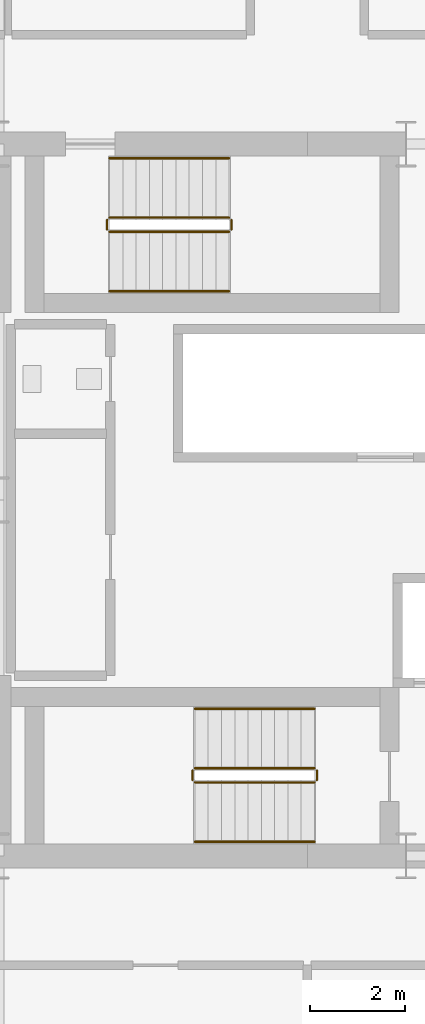
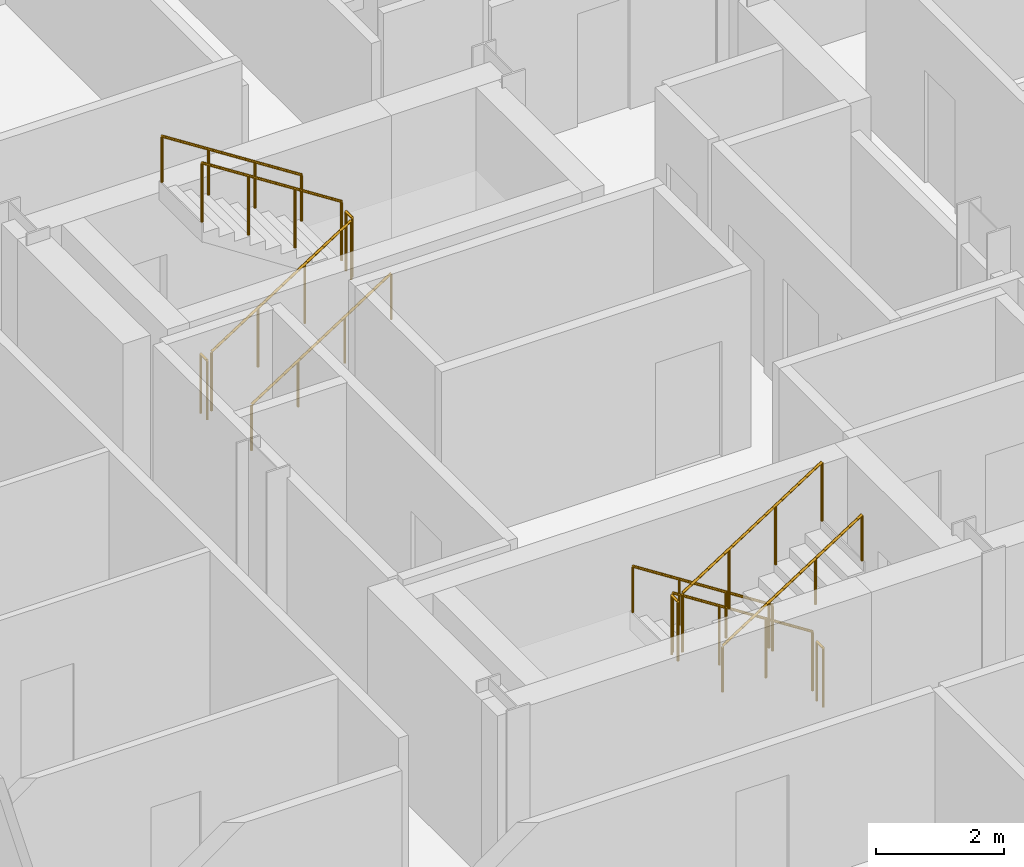
# One storey, part 21 of 22: 12 railings.
"""IFC4 building model written with IfcOpenShell, lengths in metres."""

import ifcopenshell
import ifcopenshell.guid

model = None  # the IFC model being written
_history = None  # IfcOwnerHistory: only IFC2X3 demands one
_inside = {}  # id of a spatial element -> (the spatial element, [elements in it])
_under = {}  # id of a project, library or spatial element -> (it, [spatial elements below it])
_declared = {}  # id of a project -> (the project, [libraries it declares])
_typed = {}  # id of a type object -> (the type object, [elements of that type])
_made_of = {}  # id of a material, layer set ... -> (it, [elements and type objects made of it])


def new_model(schema):
    """Start an empty IFC model of exactly this schema.

    Asked for "IFC4X3", IfcOpenShell would pick the latest addendum, in which some entities
    have other attributes; the version numbers below select the first issue.
    IFC2X3 requires an IfcOwnerHistory on every rooted entity: one is made here for all.
    """
    global model, _history
    if schema == "IFC4X3":
        model = ifcopenshell.file(schema_version=(4, 3, 0, 0))
    else:
        model = ifcopenshell.file(schema=schema)
    _inside.clear()
    _under.clear()
    _declared.clear()
    _typed.clear()
    _made_of.clear()
    _history = None
    if model.schema == "IFC2X3":
        org = make("IfcOrganization", Name="unknown")
        user = make(
            "IfcPersonAndOrganization",
            ThePerson=make("IfcPerson", FamilyName="unknown"),
            TheOrganization=org,
        )
        app = make(
            "IfcApplication",
            ApplicationDeveloper=org,
            Version="unknown",
            ApplicationFullName="unknown",
            ApplicationIdentifier="unknown",
        )
        _history = make(
            "IfcOwnerHistory",
            OwningUser=user,
            OwningApplication=app,
            ChangeAction="ADDED",
            CreationDate=0,
        )
    return model


def make(cls, **values):
    """One entity of the class cls with the attributes given. An attribute that is None is left unset."""
    return model.create_entity(
        cls, **{name: value for name, value in values.items() if value is not None}
    )


def rooted(cls, **values):
    """An entity with a GlobalId (a new one), such as an element, a storey or a relation."""
    return make(cls, GlobalId=ifcopenshell.guid.new(), OwnerHistory=_history, **values)


def si_unit(unit_type, name, prefix=None):
    """IfcSIUnit, for example si_unit("LENGTHUNIT", "METRE", prefix="MILLI")."""
    return make("IfcSIUnit", UnitType=unit_type, Prefix=prefix, Name=name)


def assignment(units):
    """IfcUnitAssignment: the units of a project."""
    return None if units is None else make("IfcUnitAssignment", Units=units)


def point(xyz):
    """IfcCartesianPoint."""
    return None if xyz is None else make("IfcCartesianPoint", Coordinates=xyz)


def direction(xyz):
    """IfcDirection."""
    return None if xyz is None else make("IfcDirection", DirectionRatios=xyz)


def frame(location, z_axis=None, x_axis=None):
    """IfcAxis2Placement3D, a coordinate frame: its origin and axes. An axis left out is left unset."""
    return make(
        "IfcAxis2Placement3D",
        Location=point(location),
        Axis=direction(z_axis),
        RefDirection=direction(x_axis),
    )


def frame_2d(location, x_axis=None):
    """IfcAxis2Placement2D, a coordinate frame in the plane: its origin and x axis."""
    return make(
        "IfcAxis2Placement2D", Location=point(location), RefDirection=direction(x_axis)
    )


def origin():
    """The frame at (0, 0, 0) with its axes left unset."""
    return frame((0.0, 0.0, 0.0))


def origin_2d():
    """The frame at (0, 0) in the plane with its x axis left unset."""
    return frame_2d((0.0, 0.0))


def place(relative_to, where):
    """IfcLocalPlacement: puts the frame where relative to a parent placement (None: the world)."""
    return make(
        "IfcLocalPlacement", PlacementRelTo=relative_to, RelativePlacement=where
    )


def context(
    kind, dimensions, precision=None, world=None, true_north=None, identifier=None
):
    """IfcGeometricRepresentationContext, for example the 3D "Model" context."""
    return make(
        "IfcGeometricRepresentationContext",
        ContextIdentifier=identifier,
        ContextType=kind,
        CoordinateSpaceDimension=dimensions,
        Precision=precision,
        WorldCoordinateSystem=world,
        TrueNorth=true_north,
    )


def subcontext(parent, identifier, kind, view, scale=None):
    """IfcGeometricRepresentationSubContext, for example "Body" below "Model"."""
    return make(
        "IfcGeometricRepresentationSubContext",
        ContextIdentifier=identifier,
        ContextType=kind,
        ParentContext=parent,
        TargetScale=scale,
        TargetView=view,
    )


def project(units=None, contexts=None):
    """IfcProject with its units and contexts."""
    return rooted(
        "IfcProject",
        Name="project",
        RepresentationContexts=contexts,
        UnitsInContext=assignment(units),
    )


def spatial(cls, under=None, at=None, **own):
    """A site, building, storey or space (cls), placed at a placement, below another one or the project."""
    s = rooted(cls, ObjectPlacement=at, **own)
    if under is not None:
        _under.setdefault(under.id(), (under, []))[1].append(s)
    return s


def profile(cls, at=None, kind="AREA", **sizes):
    """A parametric profile (cls). Its sizes go by their IFC names, for example OverallWidth=200.0."""
    return make(cls, ProfileType=kind, Position=at, **sizes)


def circle(**sizes):
    """IfcCircleProfileDef."""
    return profile("IfcCircleProfileDef", **sizes)


def extrude(swept, where, along, depth):
    """IfcExtrudedAreaSolid: the profile swept, set in the frame where, extruded along a direction by depth."""
    return make(
        "IfcExtrudedAreaSolid",
        SweptArea=swept,
        Position=where,
        ExtrudedDirection=direction(along),
        Depth=depth,
    )


def shape(context_of_items, identifier, shape_type, items):
    """IfcShapeRepresentation: the items that make up one representation, for example the "Body"."""
    return make(
        "IfcShapeRepresentation",
        ContextOfItems=context_of_items,
        RepresentationIdentifier=identifier,
        RepresentationType=shape_type,
        Items=items,
    )


def material(Name=None, Category=None):
    """IfcMaterial."""
    return make("IfcMaterial", Name=Name, Category=Category)


def made_of(thing, what):
    """Note that an element or type object is made of a material, layer set ...; save() writes the relation."""
    if what is not None:
        _made_of.setdefault(what.id(), (what, []))[1].append(thing)
    return thing


def type_object(cls, material=None, **own):
    """A type object (cls), such as IfcWallType, which elements share."""
    return made_of(rooted(cls, **own), material)


def element(
    cls,
    number,
    at=None,
    inside=None,
    cuts=None,
    type_object=None,
    material=None,
    context=None,
    identifier="Body",
    shape_type=None,
    held_by="IfcProductDefinitionShape",
    body=None,
    shapes=None,
    **own,
):
    """One element of the class cls, such as IfcWall. Its Tag is "e" and its number.

    at: its placement. inside: the storey or other place that contains it. cuts: it is an
    opening in that element (IfcRelVoidsElement). A single representation is given by context,
    identifier, shape_type and body (its items); several are given by shapes. held_by: the class
    of the entity that holds the representations. save() writes the other relations.
    """
    e = rooted(cls, Tag="e%d" % number, ObjectPlacement=at, **own)
    if body is not None:
        shapes = [shape(context, identifier, shape_type, body)]
    if shapes is not None:
        e.Representation = make(held_by, Representations=shapes)
    if inside is not None:
        _inside.setdefault(inside.id(), (inside, []))[1].append(e)
    if cuts is not None:
        rooted(
            "IfcRelVoidsElement", RelatingBuildingElement=cuts, RelatedOpeningElement=e
        )
    if type_object is not None:
        _typed.setdefault(type_object.id(), (type_object, []))[1].append(e)
    return made_of(e, material)


def aggregate(whole, parts):
    """IfcRelAggregates: a whole, such as a stair, and the parts it consists of."""
    return rooted("IfcRelAggregates", RelatingObject=whole, RelatedObjects=parts)


def save(model, path):
    """Write the relations noted so far, then the file.

    IfcRelAggregates (storeys below a building ...), IfcRelContainedInSpatialStructure (elements
    in a storey), IfcRelDefinesByType, IfcRelAssociatesMaterial and IfcRelDeclares: one each for
    every whole, place, type object, material and project.
    """
    for whole, parts in _under.values():
        aggregate(whole, parts)
    for where, things in _inside.values():
        rooted(
            "IfcRelContainedInSpatialStructure",
            RelatedElements=things,
            RelatingStructure=where,
        )
    for kind, things in _typed.values():
        rooted("IfcRelDefinesByType", RelatedObjects=things, RelatingType=kind)
    for what, things in _made_of.values():
        rooted("IfcRelAssociatesMaterial", RelatedObjects=things, RelatingMaterial=what)
    for by, libraries in _declared.values():
        rooted("IfcRelDeclares", RelatingContext=by, RelatedDefinitions=libraries)
    model.write(path)


model = new_model("IFC4")

# Units and contexts
model_context = context("Model", 3, precision=1e-05, world=origin(), true_north=direction((0.0, 1.0)))
body_context = subcontext(model_context, "Body", "Model", "MODEL_VIEW")
ifc_project = project(units=[si_unit("LENGTHUNIT", "METRE"), si_unit("AREAUNIT", "SQUARE_METRE"), si_unit("VOLUMEUNIT", "CUBIC_METRE"), si_unit("PLANEANGLEUNIT", "RADIAN"), si_unit("MASSUNIT", "GRAM", prefix="KILO")], contexts=[model_context])

# Site, building, storey
site_placement = place(None, origin())
site = spatial("IfcSite", under=ifc_project, at=site_placement, CompositionType="ELEMENT")
building_placement = place(site_placement, origin())
building = spatial("IfcBuilding", under=site, at=building_placement, Name="Barlavira Tower and Art Museum", CompositionType="ELEMENT")
storey_placement = place(building_placement, frame((0.0, 0.0, 129.60009765625)))
storey = spatial("IfcBuildingStorey", under=building, at=storey_placement, Name="L32", CompositionType="ELEMENT", Elevation=129.60009765625)

# Railings
ifc_material = material(Name="Brushed stainless steel", Category="steel")
railing_type_1 = type_object("IfcRailingType", Name="Interior Void and Landing Guard Railing 1150", PredefinedType="GUARDRAIL", material=ifc_material)
railing_1_placement = place(storey_placement, frame((0.14990234375, -5.64990234375, 0.179931640625)))
element("IfcRailing", 1, at=railing_1_placement, inside=storey, type_object=railing_type_1, Name="L32 ST-T1 stair guard 1", PredefinedType="GUARDRAIL", context=body_context, shape_type="SweptSolid", body=[
    extrude(circle(Radius=0.02392578125, at=origin_2d()), frame((0.0, 0.0, 1.1259765625), z_axis=(-0.841199657755, 0.0, 0.540724639528), x_axis=(0.0, -1.0, 0.0)), (0.0, 0.0, 1.0), 2.995849609375),
    extrude(circle(Radius=0.02099609375, at=origin_2d()), origin(), (0.0, 0.0, 1.0), 1.101806640625),
    extrude(circle(Radius=0.02099609375, at=origin_2d()), frame((-0.840087890625, 0.0, 0.5400390625)), (0.0, 0.0, 1.0), 1.101806640625),
    extrude(circle(Radius=0.02099609375, at=origin_2d()), frame((-1.679931640625, 0.0, 1.079833984375)), (0.0, 0.0, 1.0), 1.101806640625),
    extrude(circle(Radius=0.02099609375, at=origin_2d()), frame((-2.52001953125, 0.0, 1.619873046875)), (0.0, 0.0, 1.0), 1.101806640625),
])
railing_2_placement = place(storey_placement, frame((-2.419921875, -5.699951171875, 1.7998046875)))
element("IfcRailing", 2, at=railing_2_placement, inside=storey, type_object=railing_type_1, Name="L32 ST-T1 stair guard 2", PredefinedType="GUARDRAIL", context=body_context, shape_type="SweptSolid", body=[
    extrude(circle(Radius=0.02392578125, at=origin_2d()), frame((0.0, 0.0, 1.1259765625), z_axis=(0.0, -1.0, 0.0), x_axis=(1.0, 0.0, 0.0)), (0.0, 0.0, 1.0), 0.199951171875),
    extrude(circle(Radius=0.02099609375, at=origin_2d()), origin(), (0.0, 0.0, 1.0), 1.101806640625),
    extrude(circle(Radius=0.02099609375, at=origin_2d()), frame((0.0, -0.199951171875, 0.0)), (0.0, 0.0, 1.0), 1.101806640625),
])
railing_3_placement = place(storey_placement, frame((-2.3701171875, -5.949951171875, 1.97998046875)))
element("IfcRailing", 3, at=railing_3_placement, inside=storey, type_object=railing_type_1, Name="L32 ST-T1 stair guard 3", PredefinedType="GUARDRAIL", context=body_context, shape_type="SweptSolid", body=[
    extrude(circle(Radius=0.02392578125, at=origin_2d()), frame((0.0, 0.0, 1.1259765625), z_axis=(0.841199657755, 0.0, 0.540724639528), x_axis=(0.0, 1.0, 0.0)), (0.0, 0.0, 1.0), 2.995849609375),
    extrude(circle(Radius=0.02099609375, at=origin_2d()), origin(), (0.0, 0.0, 1.0), 1.101806640625),
    extrude(circle(Radius=0.02099609375, at=origin_2d()), frame((0.840087890625, 0.0, 0.5400390625)), (0.0, 0.0, 1.0), 1.101806640625),
    extrude(circle(Radius=0.02099609375, at=origin_2d()), frame((1.679931640625, 0.0, 1.079833984375)), (0.0, 0.0, 1.0), 1.101806640625),
    extrude(circle(Radius=0.02099609375, at=origin_2d()), frame((2.52001953125, 0.0, 1.619873046875)), (0.0, 0.0, 1.0), 1.101806640625),
])
railing_4_placement = place(storey_placement, frame((0.199951171875, -5.699951171875, 0.0)))
element("IfcRailing", 4, at=railing_4_placement, inside=storey, type_object=railing_type_1, Name="L32 ST-T1 stair guard 4", PredefinedType="GUARDRAIL", context=body_context, shape_type="SweptSolid", body=[
    extrude(circle(Radius=0.02392578125, at=origin_2d()), frame((0.0, 0.0, 1.1259765625), z_axis=(0.0, -1.0, 0.0), x_axis=(1.0, 0.0, 0.0)), (0.0, 0.0, 1.0), 0.199951171875),
    extrude(circle(Radius=0.02099609375, at=origin_2d()), origin(), (0.0, 0.0, 1.0), 1.101806640625),
    extrude(circle(Radius=0.02099609375, at=origin_2d()), frame((0.0, -0.199951171875, 0.0)), (0.0, 0.0, 1.0), 1.101806640625),
])
railing_5_placement = place(storey_placement, frame((-4.169921875, 5.64990234375, 0.179931640625)))
element("IfcRailing", 5, at=railing_5_placement, inside=storey, type_object=railing_type_1, Name="L32 ST-T2 stair guard 1", PredefinedType="GUARDRAIL", context=body_context, shape_type="SweptSolid", body=[
    extrude(circle(Radius=0.02392578125, at=origin_2d()), frame((0.0, 0.0, 1.1259765625), z_axis=(0.841199657755, 0.0, 0.540724639528), x_axis=(0.0, 1.0, 0.0)), (0.0, 0.0, 1.0), 2.995849609375),
    extrude(circle(Radius=0.02099609375, at=origin_2d()), origin(), (0.0, 0.0, 1.0), 1.101806640625),
    extrude(circle(Radius=0.02099609375, at=origin_2d()), frame((0.840087890625, 0.0, 0.5400390625)), (0.0, 0.0, 1.0), 1.101806640625),
    extrude(circle(Radius=0.02099609375, at=origin_2d()), frame((1.679931640625, 0.0, 1.079833984375)), (0.0, 0.0, 1.0), 1.101806640625),
    extrude(circle(Radius=0.02099609375, at=origin_2d()), frame((2.52001953125, 0.0, 1.619873046875)), (0.0, 0.0, 1.0), 1.101806640625),
])
railing_6_placement = place(storey_placement, frame((-1.60009765625, 5.699951171875, 1.7998046875)))
element("IfcRailing", 6, at=railing_6_placement, inside=storey, type_object=railing_type_1, Name="L32 ST-T2 stair guard 2", PredefinedType="GUARDRAIL", context=body_context, shape_type="SweptSolid", body=[
    extrude(circle(Radius=0.02392578125, at=origin_2d()), frame((0.0, 0.0, 1.1259765625), z_axis=(0.0, 1.0, 0.0), x_axis=(-1.0, 0.0, 0.0)), (0.0, 0.0, 1.0), 0.199951171875),
    extrude(circle(Radius=0.02099609375, at=origin_2d()), origin(), (0.0, 0.0, 1.0), 1.101806640625),
    extrude(circle(Radius=0.02099609375, at=origin_2d()), frame((0.0, 0.199951171875, 0.0)), (0.0, 0.0, 1.0), 1.101806640625),
])
railing_7_placement = place(storey_placement, frame((-1.64990234375, 5.949951171875, 1.97998046875)))
element("IfcRailing", 7, at=railing_7_placement, inside=storey, type_object=railing_type_1, Name="L32 ST-T2 stair guard 3", PredefinedType="GUARDRAIL", context=body_context, shape_type="SweptSolid", body=[
    extrude(circle(Radius=0.02392578125, at=origin_2d()), frame((0.0, 0.0, 1.1259765625), z_axis=(-0.841199657755, 0.0, 0.540724639528), x_axis=(0.0, -1.0, 0.0)), (0.0, 0.0, 1.0), 2.995849609375),
    extrude(circle(Radius=0.02099609375, at=origin_2d()), origin(), (0.0, 0.0, 1.0), 1.101806640625),
    extrude(circle(Radius=0.02099609375, at=origin_2d()), frame((-0.840087890625, 0.0, 0.5400390625)), (0.0, 0.0, 1.0), 1.101806640625),
    extrude(circle(Radius=0.02099609375, at=origin_2d()), frame((-1.679931640625, 0.0, 1.079833984375)), (0.0, 0.0, 1.0), 1.101806640625),
    extrude(circle(Radius=0.02099609375, at=origin_2d()), frame((-2.52001953125, 0.0, 1.619873046875)), (0.0, 0.0, 1.0), 1.101806640625),
])
railing_8_placement = place(storey_placement, frame((-4.219970703125, 5.699951171875, 0.0)))
element("IfcRailing", 8, at=railing_8_placement, inside=storey, type_object=railing_type_1, Name="L32 ST-T2 stair guard 4", PredefinedType="GUARDRAIL", context=body_context, shape_type="SweptSolid", body=[
    extrude(circle(Radius=0.02392578125, at=origin_2d()), frame((0.0, 0.0, 1.1259765625), z_axis=(0.0, 1.0, 0.0), x_axis=(-1.0, 0.0, 0.0)), (0.0, 0.0, 1.0), 0.199951171875),
    extrude(circle(Radius=0.02099609375, at=origin_2d()), origin(), (0.0, 0.0, 1.0), 1.101806640625),
    extrude(circle(Radius=0.02099609375, at=origin_2d()), frame((0.0, 0.199951171875, 0.0)), (0.0, 0.0, 1.0), 1.101806640625),
])
railing_type_2 = type_object("IfcRailingType", Name="Stair Pitch Tubular Steel Handrail 920", PredefinedType="HANDRAIL", material=ifc_material)
railing_9_placement = place(storey_placement, frame((0.14990234375, -4.39990234375, 0.179931640625)))
element("IfcRailing", 9, at=railing_9_placement, inside=storey, type_object=railing_type_2, Name="L32 ST-T1 stair handrail 1", PredefinedType="HANDRAIL", context=body_context, shape_type="SweptSolid", body=[
    extrude(circle(Radius=0.02392578125, at=origin_2d()), frame((0.0, 0.0, 0.8759765625), z_axis=(-0.841199657755, 0.0, 0.540724639528), x_axis=(0.0, -1.0, 0.0)), (0.0, 0.0, 1.0), 2.995849609375),
    extrude(circle(Radius=0.02099609375, at=origin_2d()), origin(), (0.0, 0.0, 1.0), 0.851806640625),
    extrude(circle(Radius=0.02099609375, at=origin_2d()), frame((-0.840087890625, 0.0, 0.5400390625)), (0.0, 0.0, 1.0), 0.851806640625),
    extrude(circle(Radius=0.02099609375, at=origin_2d()), frame((-1.679931640625, 0.0, 1.079833984375)), (0.0, 0.0, 1.0), 0.851806640625),
    extrude(circle(Radius=0.02099609375, at=origin_2d()), frame((-2.52001953125, 0.0, 1.619873046875)), (0.0, 0.0, 1.0), 0.851806640625),
])
for number, where, name in (
    (10, (-2.3701171875, -7.199951171875, 1.97998046875), "L32 ST-T1 stair handrail 2"),
    (11, (-4.169921875, 4.39990234375, 0.179931640625), "L32 ST-T2 stair handrail 1"),
):
    element("IfcRailing", number, at=place(storey_placement, frame(where)), inside=storey, type_object=railing_type_2, Name=name, PredefinedType="HANDRAIL", context=body_context, shape_type="SweptSolid", body=[
        extrude(circle(Radius=0.02392578125, at=origin_2d()), frame((0.0, 0.0, 0.8759765625), z_axis=(0.841199657755, 0.0, 0.540724639528), x_axis=(0.0, 1.0, 0.0)), (0.0, 0.0, 1.0), 2.995849609375),
        extrude(circle(Radius=0.02099609375, at=origin_2d()), origin(), (0.0, 0.0, 1.0), 0.851806640625),
        extrude(circle(Radius=0.02099609375, at=origin_2d()), frame((0.840087890625, 0.0, 0.5400390625)), (0.0, 0.0, 1.0), 0.851806640625),
        extrude(circle(Radius=0.02099609375, at=origin_2d()), frame((1.679931640625, 0.0, 1.079833984375)), (0.0, 0.0, 1.0), 0.851806640625),
        extrude(circle(Radius=0.02099609375, at=origin_2d()), frame((2.52001953125, 0.0, 1.619873046875)), (0.0, 0.0, 1.0), 0.851806640625),
    ])
railing_10_placement = place(storey_placement, frame((-1.64990234375, 7.199951171875, 1.97998046875)))
element("IfcRailing", 12, at=railing_10_placement, inside=storey, type_object=railing_type_2, Name="L32 ST-T2 stair handrail 2", PredefinedType="HANDRAIL", context=body_context, shape_type="SweptSolid", body=[
    extrude(circle(Radius=0.02392578125, at=origin_2d()), frame((0.0, 0.0, 0.8759765625), z_axis=(-0.841199657755, 0.0, 0.540724639528), x_axis=(0.0, -1.0, 0.0)), (0.0, 0.0, 1.0), 2.995849609375),
    extrude(circle(Radius=0.02099609375, at=origin_2d()), origin(), (0.0, 0.0, 1.0), 0.851806640625),
    extrude(circle(Radius=0.02099609375, at=origin_2d()), frame((-0.840087890625, 0.0, 0.5400390625)), (0.0, 0.0, 1.0), 0.851806640625),
    extrude(circle(Radius=0.02099609375, at=origin_2d()), frame((-1.679931640625, 0.0, 1.079833984375)), (0.0, 0.0, 1.0), 0.851806640625),
    extrude(circle(Radius=0.02099609375, at=origin_2d()), frame((-2.52001953125, 0.0, 1.619873046875)), (0.0, 0.0, 1.0), 0.851806640625),
])

save(model, "model.ifc")
